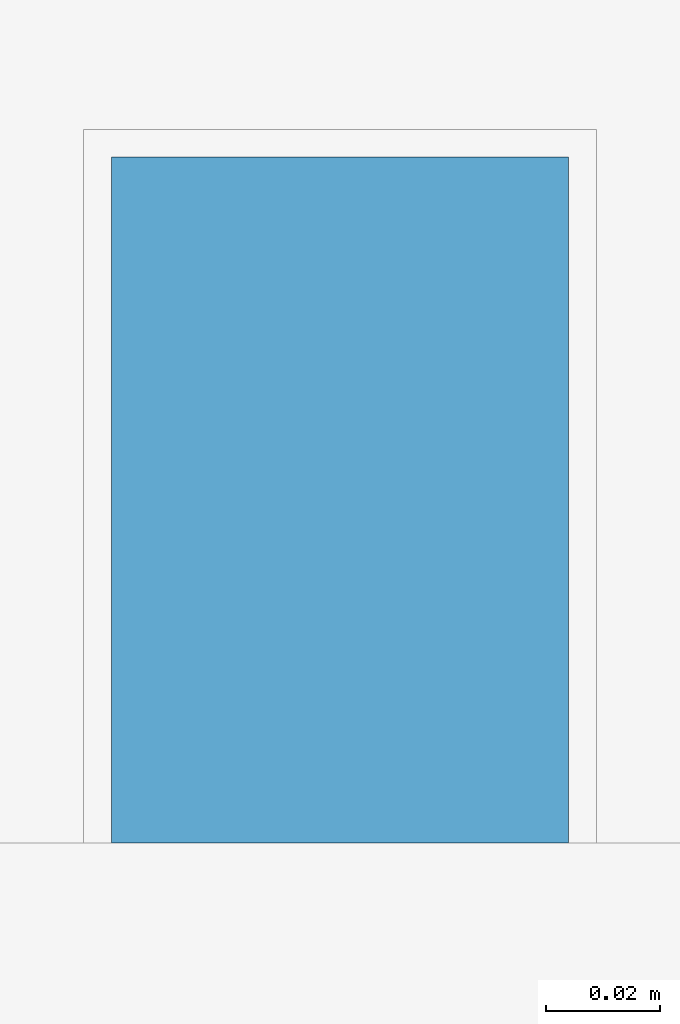
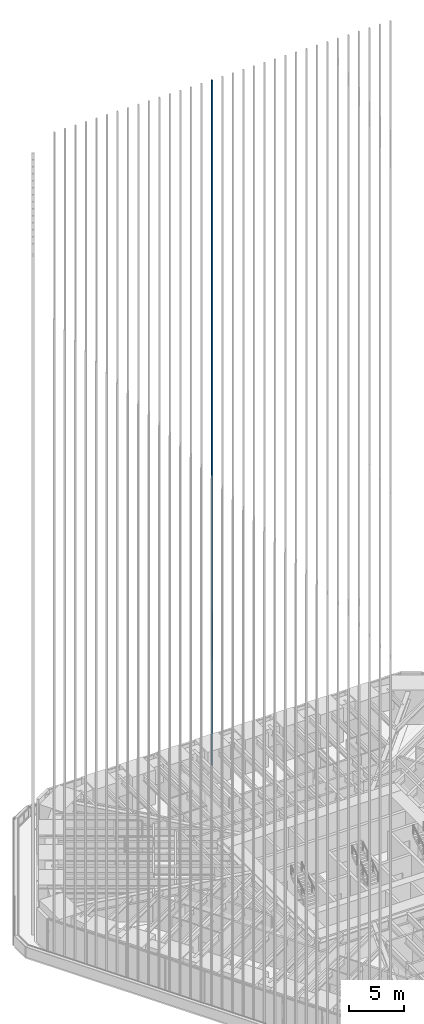
# One storey, part 172 of 238: 1 member, 1 element without a shape of its own.
"""IFC4 building model written with IfcOpenShell, lengths in metres."""

from ifc_helpers import new_model, si_unit, direction, frame, origin, origin_2d, place, context, subcontext, project, spatial, rectangle, extrude, material, material_profile, profile_set, type_object, element, aggregate, save


model = new_model("IFC4")

# Units and contexts
model_context = context("Model", 3, precision=1e-05, world=origin(), true_north=direction((0.0, 1.0)))
body_context = subcontext(model_context, "Body", "Model", "MODEL_VIEW")
ifc_project = project(units=[si_unit("LENGTHUNIT", "METRE"), si_unit("AREAUNIT", "SQUARE_METRE"), si_unit("VOLUMEUNIT", "CUBIC_METRE"), si_unit("PLANEANGLEUNIT", "RADIAN"), si_unit("MASSUNIT", "GRAM", prefix="KILO")], contexts=[model_context])

# Site, building, storey
site_placement = place(None, origin())
site = spatial("IfcSite", under=ifc_project, at=site_placement, CompositionType="ELEMENT")
building_placement = place(site_placement, origin())
building = spatial("IfcBuilding", under=site, at=building_placement, Name="Sandreach Pilgrim Tower", CompositionType="ELEMENT")
storey_placement = place(building_placement, frame((0.0, 0.0, 96.800048828125)))
storey = spatial("IfcBuildingStorey", under=building, at=storey_placement, Name="L23", CompositionType="ELEMENT", Elevation=96.800048828125)

# Curtain wall, member
ifc_material_1 = material(Name="Aluminium framed curtain wall", Category="aluminium")
curtain_wall_type = type_object("IfcCurtainWallType", Name="Hotel tower curtain wall", PredefinedType="NOTDEFINED", material=ifc_material_1)
curtain_wall_placement = place(storey_placement, origin())
curtain_wall = element("IfcCurtainWall", 1, at=curtain_wall_placement, inside=storey, type_object=curtain_wall_type, Name="CW-2 L23 N", PredefinedType="NOTDEFINED")
ifc_material_2 = material(Name="Extruded terracotta on aluminium core", Category="masonry")
ifc_material_profile = material_profile(ifc_material_2, rectangle(XDim=0.080078125, YDim=0.1201171875, at=origin_2d()), Name="TBN 80X120")
ifc_profile_set = profile_set([ifc_material_profile], Name="Extruded terracotta on aluminium core")
member_type = type_object("IfcMemberType", Name="Terracotta baguette north", PredefinedType="USERDEFINED", material=ifc_profile_set)
member_placement = place(storey_placement, frame((-1.099365234375, 22.853759765625, 0.0), z_axis=(0.0, 0.0, 1.0), x_axis=(1.0, 0.0, 0.0)))
member = element("IfcMember", 2, at=member_placement, type_object=member_type, Name="Baguette Z2 N16", ObjectType="BAGUETTE", PredefinedType="USERDEFINED", context=body_context, shape_type="SweptSolid", body=[
    extrude(rectangle(XDim=0.080078125, YDim=0.1201171875, at=origin_2d()), origin(), (0.0, 0.0, 1.0), 75.83984375),
])
aggregate(curtain_wall, [member])

save(model, "model.ifc")
